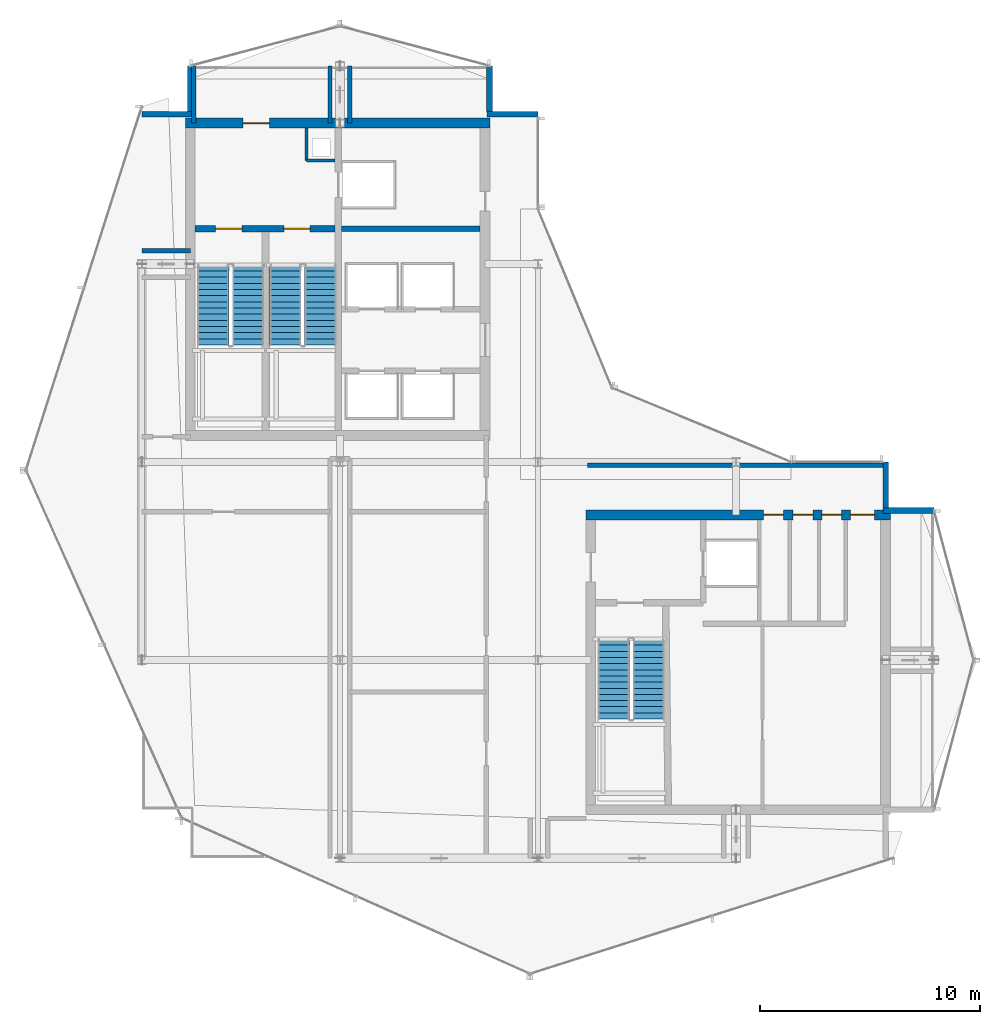
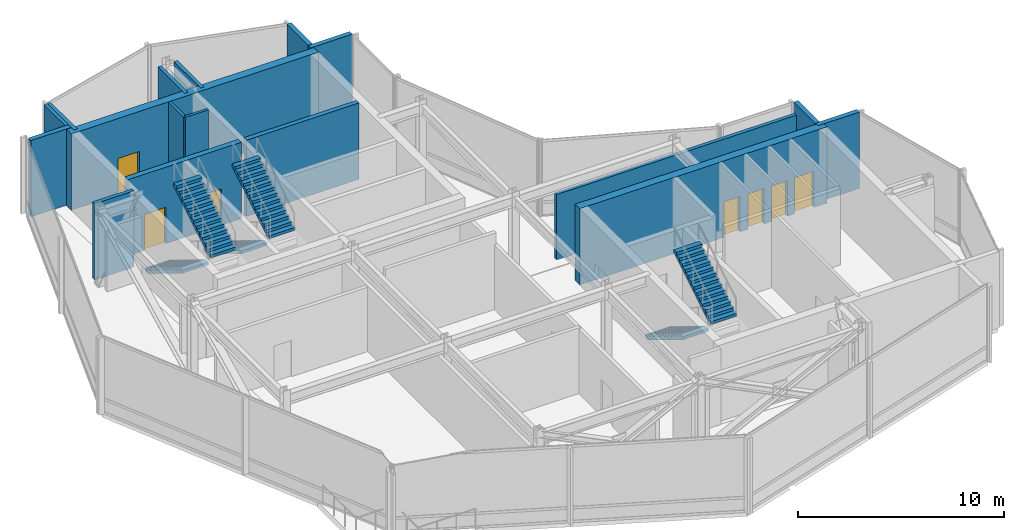
# One storey, part 19 of 23: 17 walls, 7 doors, 6 stair flights, 7 openings, 3 elements without a shape of their own.
"""IFC4 building model written with IfcOpenShell, lengths in metres."""

import ifcopenshell
import ifcopenshell.guid

model = None  # the IFC model being written
_history = None  # IfcOwnerHistory: only IFC2X3 demands one
_inside = {}  # id of a spatial element -> (the spatial element, [elements in it])
_under = {}  # id of a project, library or spatial element -> (it, [spatial elements below it])
_declared = {}  # id of a project -> (the project, [libraries it declares])
_typed = {}  # id of a type object -> (the type object, [elements of that type])
_made_of = {}  # id of a material, layer set ... -> (it, [elements and type objects made of it])


def new_model(schema):
    """Start an empty IFC model of exactly this schema.

    Asked for "IFC4X3", IfcOpenShell would pick the latest addendum, in which some entities
    have other attributes; the version numbers below select the first issue.
    IFC2X3 requires an IfcOwnerHistory on every rooted entity: one is made here for all.
    """
    global model, _history
    if schema == "IFC4X3":
        model = ifcopenshell.file(schema_version=(4, 3, 0, 0))
    else:
        model = ifcopenshell.file(schema=schema)
    _inside.clear()
    _under.clear()
    _declared.clear()
    _typed.clear()
    _made_of.clear()
    _history = None
    if model.schema == "IFC2X3":
        org = make("IfcOrganization", Name="unknown")
        user = make(
            "IfcPersonAndOrganization",
            ThePerson=make("IfcPerson", FamilyName="unknown"),
            TheOrganization=org,
        )
        app = make(
            "IfcApplication",
            ApplicationDeveloper=org,
            Version="unknown",
            ApplicationFullName="unknown",
            ApplicationIdentifier="unknown",
        )
        _history = make(
            "IfcOwnerHistory",
            OwningUser=user,
            OwningApplication=app,
            ChangeAction="ADDED",
            CreationDate=0,
        )
    return model


def make(cls, **values):
    """One entity of the class cls with the attributes given. An attribute that is None is left unset."""
    return model.create_entity(
        cls, **{name: value for name, value in values.items() if value is not None}
    )


def rooted(cls, **values):
    """An entity with a GlobalId (a new one), such as an element, a storey or a relation."""
    return make(cls, GlobalId=ifcopenshell.guid.new(), OwnerHistory=_history, **values)


def si_unit(unit_type, name, prefix=None):
    """IfcSIUnit, for example si_unit("LENGTHUNIT", "METRE", prefix="MILLI")."""
    return make("IfcSIUnit", UnitType=unit_type, Prefix=prefix, Name=name)


def assignment(units):
    """IfcUnitAssignment: the units of a project."""
    return None if units is None else make("IfcUnitAssignment", Units=units)


def point(xyz):
    """IfcCartesianPoint."""
    return None if xyz is None else make("IfcCartesianPoint", Coordinates=xyz)


def direction(xyz):
    """IfcDirection."""
    return None if xyz is None else make("IfcDirection", DirectionRatios=xyz)


def frame(location, z_axis=None, x_axis=None):
    """IfcAxis2Placement3D, a coordinate frame: its origin and axes. An axis left out is left unset."""
    return make(
        "IfcAxis2Placement3D",
        Location=point(location),
        Axis=direction(z_axis),
        RefDirection=direction(x_axis),
    )


def frame_2d(location, x_axis=None):
    """IfcAxis2Placement2D, a coordinate frame in the plane: its origin and x axis."""
    return make(
        "IfcAxis2Placement2D", Location=point(location), RefDirection=direction(x_axis)
    )


def origin():
    """The frame at (0, 0, 0) with its axes left unset."""
    return frame((0.0, 0.0, 0.0))


def place(relative_to, where):
    """IfcLocalPlacement: puts the frame where relative to a parent placement (None: the world)."""
    return make(
        "IfcLocalPlacement", PlacementRelTo=relative_to, RelativePlacement=where
    )


def context(
    kind, dimensions, precision=None, world=None, true_north=None, identifier=None
):
    """IfcGeometricRepresentationContext, for example the 3D "Model" context."""
    return make(
        "IfcGeometricRepresentationContext",
        ContextIdentifier=identifier,
        ContextType=kind,
        CoordinateSpaceDimension=dimensions,
        Precision=precision,
        WorldCoordinateSystem=world,
        TrueNorth=true_north,
    )


def subcontext(parent, identifier, kind, view, scale=None):
    """IfcGeometricRepresentationSubContext, for example "Body" below "Model"."""
    return make(
        "IfcGeometricRepresentationSubContext",
        ContextIdentifier=identifier,
        ContextType=kind,
        ParentContext=parent,
        TargetScale=scale,
        TargetView=view,
    )


def project(units=None, contexts=None):
    """IfcProject with its units and contexts."""
    return rooted(
        "IfcProject",
        Name="project",
        RepresentationContexts=contexts,
        UnitsInContext=assignment(units),
    )


def spatial(cls, under=None, at=None, **own):
    """A site, building, storey or space (cls), placed at a placement, below another one or the project."""
    s = rooted(cls, ObjectPlacement=at, **own)
    if under is not None:
        _under.setdefault(under.id(), (under, []))[1].append(s)
    return s


def polyline(points):
    """IfcPolyline through the points."""
    return make("IfcPolyline", Points=[point(p) for p in points])


def profile(cls, at=None, kind="AREA", **sizes):
    """A parametric profile (cls). Its sizes go by their IFC names, for example OverallWidth=200.0."""
    return make(cls, ProfileType=kind, Position=at, **sizes)


def rectangle(**sizes):
    """IfcRectangleProfileDef."""
    return profile("IfcRectangleProfileDef", **sizes)


def outline(outer, holes=None, kind="AREA"):
    """IfcArbitraryClosedProfileDef: a profile drawn as a closed curve; with holes, ...WithVoids."""
    if holes is None:
        return make("IfcArbitraryClosedProfileDef", ProfileType=kind, OuterCurve=outer)
    return make(
        "IfcArbitraryProfileDefWithVoids",
        ProfileType=kind,
        OuterCurve=outer,
        InnerCurves=holes,
    )


def extrude(swept, where, along, depth):
    """IfcExtrudedAreaSolid: the profile swept, set in the frame where, extruded along a direction by depth."""
    return make(
        "IfcExtrudedAreaSolid",
        SweptArea=swept,
        Position=where,
        ExtrudedDirection=direction(along),
        Depth=depth,
    )


def shape(context_of_items, identifier, shape_type, items):
    """IfcShapeRepresentation: the items that make up one representation, for example the "Body"."""
    return make(
        "IfcShapeRepresentation",
        ContextOfItems=context_of_items,
        RepresentationIdentifier=identifier,
        RepresentationType=shape_type,
        Items=items,
    )


def material(Name=None, Category=None):
    """IfcMaterial."""
    return make("IfcMaterial", Name=Name, Category=Category)


def layer(
    of_material, thickness, ventilated=None, Name=None, Category=None, Priority=None
):
    """IfcMaterialLayer: one layer of a wall or slab, of a material (None: an air gap)."""
    return make(
        "IfcMaterialLayer",
        Material=of_material,
        LayerThickness=thickness,
        IsVentilated=ventilated,
        Name=Name,
        Category=Category,
        Priority=Priority,
    )


def layer_set(layers, Name=None):
    """IfcMaterialLayerSet."""
    return make("IfcMaterialLayerSet", MaterialLayers=layers, LayerSetName=Name)


def made_of(thing, what):
    """Note that an element or type object is made of a material, layer set ...; save() writes the relation."""
    if what is not None:
        _made_of.setdefault(what.id(), (what, []))[1].append(thing)
    return thing


def type_object(cls, material=None, **own):
    """A type object (cls), such as IfcWallType, which elements share."""
    return made_of(rooted(cls, **own), material)


def element(
    cls,
    number,
    at=None,
    inside=None,
    cuts=None,
    type_object=None,
    material=None,
    context=None,
    identifier="Body",
    shape_type=None,
    held_by="IfcProductDefinitionShape",
    body=None,
    shapes=None,
    **own,
):
    """One element of the class cls, such as IfcWall. Its Tag is "e" and its number.

    at: its placement. inside: the storey or other place that contains it. cuts: it is an
    opening in that element (IfcRelVoidsElement). A single representation is given by context,
    identifier, shape_type and body (its items); several are given by shapes. held_by: the class
    of the entity that holds the representations. save() writes the other relations.
    """
    e = rooted(cls, Tag="e%d" % number, ObjectPlacement=at, **own)
    if body is not None:
        shapes = [shape(context, identifier, shape_type, body)]
    if shapes is not None:
        e.Representation = make(held_by, Representations=shapes)
    if inside is not None:
        _inside.setdefault(inside.id(), (inside, []))[1].append(e)
    if cuts is not None:
        rooted(
            "IfcRelVoidsElement", RelatingBuildingElement=cuts, RelatedOpeningElement=e
        )
    if type_object is not None:
        _typed.setdefault(type_object.id(), (type_object, []))[1].append(e)
    return made_of(e, material)


def fill(opening, filler):
    """IfcRelFillsElement: the door or window that sits in an opening."""
    return rooted(
        "IfcRelFillsElement",
        RelatingOpeningElement=opening,
        RelatedBuildingElement=filler,
    )


def aggregate(whole, parts):
    """IfcRelAggregates: a whole, such as a stair, and the parts it consists of."""
    return rooted("IfcRelAggregates", RelatingObject=whole, RelatedObjects=parts)


def save(model, path):
    """Write the relations noted so far, then the file.

    IfcRelAggregates (storeys below a building ...), IfcRelContainedInSpatialStructure (elements
    in a storey), IfcRelDefinesByType, IfcRelAssociatesMaterial and IfcRelDeclares: one each for
    every whole, place, type object, material and project.
    """
    for whole, parts in _under.values():
        aggregate(whole, parts)
    for where, things in _inside.values():
        rooted(
            "IfcRelContainedInSpatialStructure",
            RelatedElements=things,
            RelatingStructure=where,
        )
    for kind, things in _typed.values():
        rooted("IfcRelDefinesByType", RelatedObjects=things, RelatingType=kind)
    for what, things in _made_of.values():
        rooted("IfcRelAssociatesMaterial", RelatedObjects=things, RelatingMaterial=what)
    for by, libraries in _declared.values():
        rooted("IfcRelDeclares", RelatingContext=by, RelatedDefinitions=libraries)
    model.write(path)


model = new_model("IFC4")

# Units and contexts
model_context = context("Model", 3, precision=1e-05, world=origin(), true_north=direction((0.0, 1.0)))
body_context = subcontext(model_context, "Body", "Model", "MODEL_VIEW")
ifc_project = project(units=[si_unit("LENGTHUNIT", "METRE"), si_unit("AREAUNIT", "SQUARE_METRE"), si_unit("VOLUMEUNIT", "CUBIC_METRE"), si_unit("PLANEANGLEUNIT", "RADIAN"), si_unit("MASSUNIT", "GRAM", prefix="KILO")], contexts=[model_context])

# Site, building, storey
site_placement = place(None, origin())
site = spatial("IfcSite", under=ifc_project, at=site_placement, CompositionType="ELEMENT")
building_placement = place(site_placement, origin())
building = spatial("IfcBuilding", under=site, at=building_placement, Name="Solvaryn Broadcast Tower", CompositionType="ELEMENT")
storey_placement = place(building_placement, frame((0.0, 0.0, 285.199951171875)))
storey = spatial("IfcBuildingStorey", under=building, at=storey_placement, Name="L72", CompositionType="ELEMENT", Elevation=285.199951171875)

# Wall, opening, door
ifc_material_1 = material(Name="Concrete f'c 70 MPa", Category="concrete")
ifc_layer_1 = layer(ifc_material_1, 0.449951171875)
ifc_layer_set_1 = layer_set([ifc_layer_1], Name="CW-SHEAR-450")
wall_type_1 = type_object("IfcWallType", Name="CW-SHEAR-450", PredefinedType="SHEAR", material=ifc_layer_set_1)
wall_1_placement = place(storey_placement, frame((24.824951171875, 42.39990234375, 0.0), z_axis=(0.0, 0.0, 1.0), x_axis=(-1.0, 0.0, 0.0)))
wall_1 = element("IfcWall", 1, at=wall_1_placement, inside=storey, type_object=wall_type_1, Name="L72 West Core North Shear Wall", PredefinedType="SHEAR", context=body_context, shape_type="SweptSolid", body=[
    extrude(rectangle(XDim=13.849853515625, YDim=0.449951171875, at=frame_2d((6.9248046875, 0.0))), origin(), (0.0, 0.0, 1.0), 4.52001953125),
])
opening_1_placement = place(wall_1_placement, frame((10.02490234375, 0.0, 0.0)))
opening_1 = element("IfcOpeningElement", 2, at=opening_1_placement, cuts=wall_1, Name="Opening FD90A", PredefinedType="OPENING", context=body_context, shape_type="SweptSolid", body=[
    extrude(rectangle(XDim=1.199951171875, YDim=2.14990234375, at=frame_2d((0.60009765625, 1.074951171875))), frame((0.0, 0.235107421875, 0.0), z_axis=(0.0, -1.0, 0.0), x_axis=(1.0, 0.0, 0.0)), (0.0, 0.0, 1.0), 0.469970703125),
])
ifc_material_2 = material(Name="Flush Acoustic Steel and Timber Door Assembly", Category="steel")
door_type_1 = type_object("IfcDoorType", Name="FD90-STAIR-1200X2150", OperationType="NOTDEFINED", PredefinedType="DOOR", material=ifc_material_2)
door_1_placement = place(opening_1_placement, origin())
door_1 = element("IfcDoor", 3, at=door_1_placement, inside=storey, type_object=door_type_1, Name="L72 West FSAE Lobby Corridor Door", OperationType="SINGLE_SWING_LEFT", OverallHeight=2.14990234375, OverallWidth=1.199951171875, PredefinedType="DOOR", context=body_context, shape_type="SweptSolid", body=[
    extrude(rectangle(XDim=1.199951171875, YDim=2.14990234375, at=frame_2d((0.60009765625, 1.074951171875))), frame((0.0, 0.02490234375, 0.0), z_axis=(0.0, -1.0, 0.0), x_axis=(1.0, 0.0, 0.0)), (0.0, 0.0, 1.0), 0.050048828125),
])
fill(opening_1, door_1)

# Wall, openings, doors
wall_2_placement = place(storey_placement, frame((43.02490234375, 24.60009765625, 0.0), z_axis=(0.0, 0.0, 1.0), x_axis=(-1.0, 0.0, 0.0)))
wall_2 = element("IfcWall", 4, at=wall_2_placement, inside=storey, type_object=wall_type_1, Name="L72 East Core North Shear Wall", PredefinedType="SHEAR", context=body_context, shape_type="SweptSolid", body=[
    extrude(rectangle(XDim=13.849853515625, YDim=0.449951171875, at=frame_2d((6.9248046875, 0.0))), origin(), (0.0, 0.0, 1.0), 4.52001953125),
])
opening_2_placement = place(wall_2_placement, frame((0.72509765625, 0.0, 0.0)))
opening_2 = element("IfcOpeningElement", 5, at=opening_2_placement, cuts=wall_2, Name="Opening FD90C", PredefinedType="OPENING", context=body_context, shape_type="SweptSolid", body=[
    extrude(rectangle(XDim=1.10009765625, YDim=2.14990234375, at=frame_2d((0.550048828125, 1.074951171875))), frame((0.0, 0.235107421875, 0.0), z_axis=(0.0, -1.0, 0.0), x_axis=(1.0, 0.0, 0.0)), (0.0, 0.0, 1.0), 0.469970703125),
])
opening_3_placement = place(wall_2_placement, frame((2.22509765625, 0.0, 0.0)))
opening_3 = element("IfcOpeningElement", 6, at=opening_3_placement, cuts=wall_2, Name="Opening FD60C", PredefinedType="OPENING", context=body_context, shape_type="SweptSolid", body=[
    extrude(rectangle(XDim=0.89990234375, YDim=2.10009765625, at=frame_2d((0.449951171875, 1.050048828125))), frame((0.0, 0.235107421875, 0.0), z_axis=(0.0, -1.0, 0.0), x_axis=(1.0, 0.0, 0.0)), (0.0, 0.0, 1.0), 0.469970703125),
])
opening_4_placement = place(wall_2_placement, frame((3.52490234375, 0.0, 0.0)))
opening_4 = element("IfcOpeningElement", 7, at=opening_4_placement, cuts=wall_2, Name="Opening FD60C", PredefinedType="OPENING", context=body_context, shape_type="SweptSolid", body=[
    extrude(rectangle(XDim=0.89990234375, YDim=2.10009765625, at=frame_2d((0.449951171875, 1.050048828125))), frame((0.0, 0.235107421875, 0.0), z_axis=(0.0, -1.0, 0.0), x_axis=(1.0, 0.0, 0.0)), (0.0, 0.0, 1.0), 0.469970703125),
])
opening_5_placement = place(wall_2_placement, frame((4.875, 0.0, 0.0)))
opening_5 = element("IfcOpeningElement", 8, at=opening_5_placement, cuts=wall_2, Name="Opening FD60C", PredefinedType="OPENING", context=body_context, shape_type="SweptSolid", body=[
    extrude(rectangle(XDim=0.89990234375, YDim=2.10009765625, at=frame_2d((0.449951171875, 1.050048828125))), frame((0.0, 0.235107421875, 0.0), z_axis=(0.0, -1.0, 0.0), x_axis=(1.0, 0.0, 0.0)), (0.0, 0.0, 1.0), 0.469970703125),
])
ifc_material_3 = material(Name="Flush Acoustic Steel and Timber Door Assembly", Category="steel")
door_type_2 = type_object("IfcDoorType", Name="FD60-SERV-900X2100", OperationType="NOTDEFINED", PredefinedType="DOOR", material=ifc_material_3)
door_2_placement = place(opening_3_placement, origin())
door_2 = element("IfcDoor", 9, at=door_2_placement, inside=storey, type_object=door_type_2, Name="L72 Core Wellness Room Door", OperationType="SINGLE_SWING_RIGHT", OverallHeight=2.10009765625, OverallWidth=0.89990234375, PredefinedType="DOOR", context=body_context, shape_type="SweptSolid", body=[
    extrude(rectangle(XDim=0.89990234375, YDim=2.10009765625, at=frame_2d((0.449951171875, 1.050048828125))), frame((0.0, 0.02490234375, 0.0), z_axis=(0.0, -1.0, 0.0), x_axis=(1.0, 0.0, 0.0)), (0.0, 0.0, 1.0), 0.050048828125),
])
fill(opening_3, door_2)
door_3_placement = place(opening_4_placement, origin())
door_3 = element("IfcDoor", 10, at=door_3_placement, inside=storey, type_object=door_type_2, Name="L72 Staff Restroom Door", OperationType="SINGLE_SWING_LEFT", OverallHeight=2.10009765625, OverallWidth=0.89990234375, PredefinedType="DOOR", context=body_context, shape_type="SweptSolid", body=[
    extrude(rectangle(XDim=0.89990234375, YDim=2.10009765625, at=frame_2d((0.449951171875, 1.050048828125))), frame((0.0, 0.02490234375, 0.0), z_axis=(0.0, -1.0, 0.0), x_axis=(1.0, 0.0, 0.0)), (0.0, 0.0, 1.0), 0.050048828125),
])
fill(opening_4, door_3)
door_4_placement = place(opening_5_placement, origin())
door_4 = element("IfcDoor", 11, at=door_4_placement, inside=storey, type_object=door_type_2, Name="L72 Accessible WC Door", OperationType="SINGLE_SWING_RIGHT", OverallHeight=2.10009765625, OverallWidth=0.89990234375, PredefinedType="DOOR", context=body_context, shape_type="SweptSolid", body=[
    extrude(rectangle(XDim=0.89990234375, YDim=2.10009765625, at=frame_2d((0.449951171875, 1.050048828125))), frame((0.0, 0.02490234375, 0.0), z_axis=(0.0, -1.0, 0.0), x_axis=(1.0, 0.0, 0.0)), (0.0, 0.0, 1.0), 0.050048828125),
])
fill(opening_5, door_4)
ifc_material_4 = material(Name="Flush Acoustic Steel and Timber Door Assembly", Category="steel")
door_type_3 = type_object("IfcDoorType", Name="FD90-PLANT-1100X2150", OperationType="NOTDEFINED", PredefinedType="DOOR", material=ifc_material_4)
door_5_placement = place(opening_2_placement, origin())
door_5 = element("IfcDoor", 12, at=door_5_placement, inside=storey, type_object=door_type_3, Name="L72 East Core Lobby Corridor Door", OperationType="SINGLE_SWING_LEFT", OverallHeight=2.14990234375, OverallWidth=1.10009765625, PredefinedType="DOOR", context=body_context, shape_type="SweptSolid", body=[
    extrude(rectangle(XDim=1.10009765625, YDim=2.14990234375, at=frame_2d((0.550048828125, 1.074951171875))), frame((0.0, 0.02490234375, 0.0), z_axis=(0.0, -1.0, 0.0), x_axis=(1.0, 0.0, 0.0)), (0.0, 0.0, 1.0), 0.050048828125),
])
fill(opening_2, door_5)

# Walls
ifc_material_5 = material(Name="Concrete f'c 50 MPa", Category="concrete")
ifc_layer_2 = layer(ifc_material_5, 0.260009765625)
ifc_layer_set_2 = layer_set([ifc_layer_2], Name="EW-PIER-260")
wall_type_2 = type_object("IfcWallType", Name="EW-PIER-260", PredefinedType="SOLIDWALL", material=ifc_layer_set_2)
wall_3_placement = place(storey_placement, frame((9.0, 42.800048828125, 0.0), z_axis=(0.0, 0.0, 1.0), x_axis=(1.0, 0.0, 0.0)))
element("IfcWall", 13, at=wall_3_placement, inside=storey, type_object=wall_type_2, Name="L72 Notched Corner Pier Wall NNW1", PredefinedType="SOLIDWALL", context=body_context, shape_type="SweptSolid", body=[
    extrude(rectangle(XDim=2.320068359375, YDim=0.260009765625, at=frame_2d((1.16015625, 0.0))), origin(), (0.0, 0.0, 1.0), 4.52001953125),
])
for number, where, z_axis, x_axis, name in (
    (14, (11.199951171875, 42.919921875, 0.0), (0.0, 0.0, 1.0), (0.0, 1.0, 0.0), "L72 Notched Corner Pier Wall NNW2"),
    (15, (24.800048828125, 45.0, 0.0), (0.0, 0.0, 1.0), (0.0, -1.0, 0.0), "L72 Notched Corner Pier Wall NNE1"),
):
    element("IfcWall", number, at=place(storey_placement, frame(where, z_axis=z_axis, x_axis=x_axis)), inside=storey, type_object=wall_type_2, Name=name, PredefinedType="SOLIDWALL", context=body_context, shape_type="SweptSolid", body=[
        extrude(rectangle(XDim=2.080078125, YDim=0.260009765625, at=frame_2d((1.0400390625, 0.0))), origin(), (0.0, 0.0, 1.0), 4.52001953125),
    ])
for number, where, z_axis, x_axis, name in (
    (16, (24.679931640625, 42.800048828125, 0.0), (0.0, 0.0, 1.0), (1.0, 0.0, 0.0), "L72 Notched Corner Pier Wall NNE2"),
    (17, (45.0, 24.800048828125, 0.0), (0.0, 0.0, 1.0), (-1.0, 0.0, 0.0), "L72 Notched Corner Pier Wall NEE1"),
):
    element("IfcWall", number, at=place(storey_placement, frame(where, z_axis=z_axis, x_axis=x_axis)), inside=storey, type_object=wall_type_2, Name=name, PredefinedType="SOLIDWALL", context=body_context, shape_type="SweptSolid", body=[
        extrude(rectangle(XDim=2.320068359375, YDim=0.260009765625, at=frame_2d((1.16015625, 0.0))), origin(), (0.0, 0.0, 1.0), 4.52001953125),
    ])
wall_4_placement = place(storey_placement, frame((42.800048828125, 24.919921875, 0.0), z_axis=(0.0, 0.0, 1.0), x_axis=(0.0, 1.0, 0.0)))
element("IfcWall", 18, at=wall_4_placement, inside=storey, type_object=wall_type_2, Name="L72 Notched Corner Pier Wall NEE2", PredefinedType="SOLIDWALL", context=body_context, shape_type="SweptSolid", body=[
    extrude(rectangle(XDim=2.080078125, YDim=0.260009765625, at=frame_2d((1.0400390625, 0.0))), origin(), (0.0, 0.0, 1.0), 4.52001953125),
])
ifc_material_6 = material(Name="Metal-Stud Service Core Partition")
ifc_layer_3 = layer(ifc_material_6, 0.14990234375)
ifc_layer_set_3 = layer_set([ifc_layer_3], Name="IW-PART-150")
wall_type_3 = type_object("IfcWallType", Name="IW-PART-150", PredefinedType="PARTITIONING", material=ifc_layer_set_3)
wall_5_placement = place(storey_placement, frame((16.47998046875, 40.699951171875, 0.0), z_axis=(0.0, 0.0, 1.0), x_axis=(1.0, 0.0, 0.0)))
element("IfcWall", 19, at=wall_5_placement, inside=storey, type_object=wall_type_3, Name="L72 West Core Riser Shaft South Wall", PredefinedType="PARTITIONING", context=body_context, shape_type="SweptSolid", body=[
    extrude(rectangle(XDim=1.2900390625, YDim=0.14990234375, at=frame_2d((0.64501953125, 0.0))), origin(), (0.0, 0.0, 1.0), 4.52001953125),
])
wall_6_placement = place(storey_placement, frame((16.47998046875, 40.699951171875, 0.0), z_axis=(0.0, 0.0, 1.0), x_axis=(0.0, 1.0, 0.0)))
element("IfcWall", 20, at=wall_6_placement, inside=storey, type_object=wall_type_3, Name="L72 West Core Riser Shaft West Wall", PredefinedType="PARTITIONING", context=body_context, shape_type="SweptSolid", body=[
    extrude(rectangle(XDim=1.47509765625, YDim=0.14990234375, at=frame_2d((0.737548828125, 0.0))), origin(), (0.0, 0.0, 1.0), 4.52001953125),
])
ifc_material_7 = material(Name="Gypsum Fire-Rated Shaftwall Assembly", Category="concrete")
ifc_layer_4 = layer(ifc_material_7, 0.199951171875)
ifc_layer_set_4 = layer_set([ifc_layer_4], Name="IW-RATED-200")
wall_type_4 = type_object("IfcWallType", Name="IW-RATED-200", PredefinedType="PARTITIONING", material=ifc_layer_set_4)
wall_7_placement = place(storey_placement, frame((9.0, 36.60009765625, 0.0), z_axis=(0.0, 0.0, 1.0), x_axis=(1.0, 0.0, 0.0)))
element("IfcWall", 21, at=wall_7_placement, inside=storey, type_object=wall_type_4, Name="L72 Interior Partition IW-L72-MW3S", PredefinedType="PARTITIONING", context=body_context, shape_type="SweptSolid", body=[
    extrude(rectangle(XDim=2.199951171875, YDim=0.199951171875, at=frame_2d((1.10009765625, 0.0))), origin(), (0.0, 0.0, 1.0), 4.52001953125),
])
wall_8_placement = place(storey_placement, frame((29.25, 26.85009765625, 0.0), z_axis=(0.0, 0.0, 1.0), x_axis=(1.0, 0.0, 0.0)))
element("IfcWall", 22, at=wall_8_placement, inside=storey, type_object=wall_type_4, Name="L72 Interior Partition IW-L72-MW6", PredefinedType="PARTITIONING", context=body_context, shape_type="SweptSolid", body=[
    extrude(rectangle(XDim=13.550048828125, YDim=0.199951171875, at=frame_2d((6.77490234375, 0.0))), origin(), (0.0, 0.0, 1.0), 3.88916015625),
])
for number, where, z_axis, x_axis, name in (
    (23, (17.550048828125, 42.39990234375, 0.0), (0.0, 0.0, 1.0), (0.0, 1.0, 0.0), "L72 Interior Partition IW-L72-MW7W"),
    (24, (18.449951171875, 42.39990234375, 0.0), (0.0, 0.0, 1.0), (0.0, 1.0, 0.0), "L72 Interior Partition IW-L72-MW7E"),
    (25, (11.35009765625, 42.39990234375, 0.0), (0.0, 0.0, 1.0), (0.0, 1.0, 0.0), "L72 Interior Partition IW-L72-MW8"),
):
    element("IfcWall", number, at=place(storey_placement, frame(where, z_axis=z_axis, x_axis=x_axis)), inside=storey, type_object=wall_type_4, Name=name, PredefinedType="PARTITIONING", context=body_context, shape_type="SweptSolid", body=[
        extrude(rectangle(XDim=2.60009765625, YDim=0.199951171875, at=frame_2d((1.300048828125, 0.0))), origin(), (0.0, 0.0, 1.0), 4.52001953125),
    ])
ifc_material_8 = material(Name="Concrete f'c 60 MPa", Category="concrete")
ifc_layer_5 = layer(ifc_material_8, 0.25)
ifc_layer_set_5 = layer_set([ifc_layer_5], Name="SW-SHAFT-250")
wall_type_5 = type_object("IfcWallType", Name="SW-SHAFT-250", PredefinedType="PARTITIONING", material=ifc_layer_set_5)
wall_9_placement = place(storey_placement, frame((18.070068359375, 37.60009765625, 0.0), z_axis=(0.0, 0.0, 1.0), x_axis=(1.0, 0.0, 0.0)))
element("IfcWall", 26, at=wall_9_placement, inside=storey, type_object=wall_type_5, Name="L72 West Core FSAE Hoistway Front Wall", PredefinedType="PARTITIONING", context=body_context, shape_type="SweptSolid", body=[
    extrude(rectangle(XDim=6.304931640625, YDim=0.25, at=frame_2d((3.15234375, 0.0))), origin(), (0.0, 0.0, 1.0), 4.52001953125),
])

# Wall, openings, doors
ifc_material_9 = material(Name="Concrete f'c 70 MPa", Category="concrete")
ifc_layer_6 = layer(ifc_material_9, 0.300048828125)
ifc_layer_set_6 = layer_set([ifc_layer_6], Name="SW-SHAFT-300")
wall_type_6 = type_object("IfcWallType", Name="SW-SHAFT-300", PredefinedType="SHEAR", material=ifc_layer_set_6)
wall_10_placement = place(storey_placement, frame((17.77001953125, 37.60009765625, 0.0), z_axis=(0.0, 0.0, 1.0), x_axis=(-1.0, 0.0, 0.0)))
wall_10 = element("IfcWall", 27, at=wall_10_placement, inside=storey, type_object=wall_type_6, Name="L72 West Core FSAE Lobby South Wall", PredefinedType="SHEAR", context=body_context, shape_type="SweptSolid", body=[
    extrude(rectangle(XDim=6.344970703125, YDim=0.300048828125, at=frame_2d((3.17236328125, 0.0))), origin(), (0.0, 0.0, 1.0), 4.52001953125),
])
opening_6_placement = place(wall_10_placement, frame((4.219970703125, 0.0, 0.0)))
opening_6 = element("IfcOpeningElement", 28, at=opening_6_placement, cuts=wall_10, Name="Opening FD90A", PredefinedType="OPENING", context=body_context, shape_type="SweptSolid", body=[
    extrude(rectangle(XDim=1.199951171875, YDim=2.14990234375, at=frame_2d((0.60009765625, 1.074951171875))), frame((0.0, 0.159912109375, 0.0), z_axis=(0.0, -1.0, 0.0), x_axis=(1.0, 0.0, 0.0)), (0.0, 0.0, 1.0), 0.320068359375),
])
opening_7_placement = place(wall_10_placement, frame((1.1201171875, 0.0, 0.0)))
opening_7 = element("IfcOpeningElement", 29, at=opening_7_placement, cuts=wall_10, Name="Opening FD90A", PredefinedType="OPENING", context=body_context, shape_type="SweptSolid", body=[
    extrude(rectangle(XDim=1.199951171875, YDim=2.14990234375, at=frame_2d((0.60009765625, 1.074951171875))), frame((0.0, 0.159912109375, 0.0), z_axis=(0.0, -1.0, 0.0), x_axis=(1.0, 0.0, 0.0)), (0.0, 0.0, 1.0), 0.320068359375),
])
door_6_placement = place(opening_6_placement, origin())
door_6 = element("IfcDoor", 30, at=door_6_placement, inside=storey, type_object=door_type_1, Name="L72 Stair 1 Fire Door", OperationType="SINGLE_SWING_LEFT", OverallHeight=2.14990234375, OverallWidth=1.199951171875, PredefinedType="DOOR", context=body_context, shape_type="SweptSolid", body=[
    extrude(rectangle(XDim=1.199951171875, YDim=2.14990234375, at=frame_2d((0.60009765625, 1.074951171875))), frame((0.0, 0.02490234375, 0.0), z_axis=(0.0, -1.0, 0.0), x_axis=(1.0, 0.0, 0.0)), (0.0, 0.0, 1.0), 0.050048828125),
])
fill(opening_6, door_6)
door_7_placement = place(opening_7_placement, origin())
door_7 = element("IfcDoor", 31, at=door_7_placement, inside=storey, type_object=door_type_1, Name="L72 Stair 2 Fire Door", OperationType="SINGLE_SWING_RIGHT", OverallHeight=2.14990234375, OverallWidth=1.199951171875, PredefinedType="DOOR", context=body_context, shape_type="SweptSolid", body=[
    extrude(rectangle(XDim=1.199951171875, YDim=2.14990234375, at=frame_2d((0.60009765625, 1.074951171875))), frame((0.0, 0.02490234375, 0.0), z_axis=(0.0, -1.0, 0.0), x_axis=(1.0, 0.0, 0.0)), (0.0, 0.0, 1.0), 0.050048828125),
])
fill(opening_7, door_7)

# Stair, stair flights
ifc_material_10 = material(Name="Concrete f'c 60 MPa", Category="concrete")
stair_type = type_object("IfcStairType", Name="ST-CORE", PredefinedType="HALF_TURN_STAIR", material=ifc_material_10)
stair_1_placement = place(storey_placement, origin())
stair_1 = element("IfcStair", 32, at=stair_1_placement, inside=storey, type_object=stair_type, Name="L72 ST1", PredefinedType="HALF_TURN_STAIR")
ifc_material_11 = material(Name="Concrete f'c 60 MPa", Category="concrete")
ifc_layer_7 = layer(ifc_material_11, 0.159912109375)
ifc_layer_set_7 = layer_set([ifc_layer_7], Name="SF-CORE")
stair_flight_type = type_object("IfcStairFlightType", Name="SF-CORE", PredefinedType="STRAIGHT", material=ifc_layer_set_7)
stair_flight_1_placement = place(storey_placement, frame((12.239990234375, 35.9599609375, 0.0), z_axis=(0.0, 0.0, 1.0), x_axis=(0.0, -1.0, 0.0)))
stair_flight_1 = element("IfcStairFlight", 33, at=stair_flight_1_placement, type_object=stair_flight_type, Name="ST1 flight 1", NumberOfRisers=14, NumberOfTreads=13, PredefinedType="STRAIGHT", RiserHeight=0.171428571, TreadLength=0.28, context=body_context, shape_type="SweptSolid", body=[
    extrude(outline(polyline([(0.0, 0.0), (0.0, 0.17138671875), (0.280029296875, 0.17138671875), (0.280029296875, 0.3427734375), (0.56005859375, 0.3427734375), (0.56005859375, 0.514404296875), (0.840087890625, 0.514404296875), (0.840087890625, 0.685791015625), (1.1201171875, 0.685791015625), (1.1201171875, 0.857177734375), (1.39990234375, 0.857177734375), (1.39990234375, 1.028564453125), (1.679931640625, 1.028564453125), (1.679931640625, 1.199951171875), (1.9599609375, 1.199951171875), (1.9599609375, 1.371337890625), (2.239990234375, 1.371337890625), (2.239990234375, 1.54296875), (2.52001953125, 1.54296875), (2.52001953125, 1.71435546875), (2.800048828125, 1.71435546875), (2.800048828125, 1.8857421875), (3.080078125, 1.8857421875), (3.080078125, 2.05712890625), (3.360107421875, 2.05712890625), (3.360107421875, 2.228515625), (3.639892578125, 2.228515625), (3.639892578125, 2.39990234375), (3.639892578125, 2.052734375), (0.287109375, 0.0), (0.0, 0.0)])), frame((0.0, 0.719970703125, 0.0), z_axis=(0.0, -1.0, 0.0), x_axis=(1.0, 0.0, 0.0)), (0.0, 0.0, 1.0), 1.43994140625),
])
stair_flight_2_placement = place(storey_placement, frame((13.830078125, 32.320068359375, 2.400146484375), z_axis=(0.0, 0.0, 1.0), x_axis=(0.0, 1.0, 0.0)))
stair_flight_2 = element("IfcStairFlight", 34, at=stair_flight_2_placement, type_object=stair_flight_type, Name="ST1 flight 2", NumberOfRisers=14, NumberOfTreads=13, PredefinedType="STRAIGHT", RiserHeight=0.171428571, TreadLength=0.28, context=body_context, shape_type="SweptSolid", body=[
    extrude(outline(polyline([(0.0, 0.0), (0.0, 0.17138671875), (0.280029296875, 0.17138671875), (0.280029296875, 0.3427734375), (0.56005859375, 0.3427734375), (0.56005859375, 0.514404296875), (0.840087890625, 0.514404296875), (0.840087890625, 0.685791015625), (1.1201171875, 0.685791015625), (1.1201171875, 0.857177734375), (1.39990234375, 0.857177734375), (1.39990234375, 1.028564453125), (1.679931640625, 1.028564453125), (1.679931640625, 1.199951171875), (1.9599609375, 1.199951171875), (1.9599609375, 1.371337890625), (2.239990234375, 1.371337890625), (2.239990234375, 1.54296875), (2.52001953125, 1.54296875), (2.52001953125, 1.71435546875), (2.800048828125, 1.71435546875), (2.800048828125, 1.8857421875), (3.080078125, 1.8857421875), (3.080078125, 2.05712890625), (3.360107421875, 2.05712890625), (3.360107421875, 2.228515625), (3.639892578125, 2.228515625), (3.639892578125, 2.39990234375), (3.639892578125, 2.052734375), (0.287109375, 0.0), (0.0, 0.0)])), frame((0.0, 0.719970703125, 0.0), z_axis=(0.0, -1.0, 0.0), x_axis=(1.0, 0.0, 0.0)), (0.0, 0.0, 1.0), 1.43994140625),
])
aggregate(stair_1, [stair_flight_1, stair_flight_2])

stair_2_placement = place(storey_placement, origin())
stair_2 = element("IfcStair", 35, at=stair_2_placement, inside=storey, type_object=stair_type, Name="L72 ST2", PredefinedType="HALF_TURN_STAIR")
stair_flight_3_placement = place(storey_placement, frame((15.52001953125, 35.9599609375, 0.0), z_axis=(0.0, 0.0, 1.0), x_axis=(0.0, -1.0, 0.0)))
stair_flight_3 = element("IfcStairFlight", 36, at=stair_flight_3_placement, type_object=stair_flight_type, Name="ST2 flight 1", NumberOfRisers=14, NumberOfTreads=13, PredefinedType="STRAIGHT", RiserHeight=0.171428571, TreadLength=0.28, context=body_context, shape_type="SweptSolid", body=[
    extrude(outline(polyline([(0.0, 0.0), (0.0, 0.17138671875), (0.280029296875, 0.17138671875), (0.280029296875, 0.3427734375), (0.56005859375, 0.3427734375), (0.56005859375, 0.514404296875), (0.840087890625, 0.514404296875), (0.840087890625, 0.685791015625), (1.1201171875, 0.685791015625), (1.1201171875, 0.857177734375), (1.39990234375, 0.857177734375), (1.39990234375, 1.028564453125), (1.679931640625, 1.028564453125), (1.679931640625, 1.199951171875), (1.9599609375, 1.199951171875), (1.9599609375, 1.371337890625), (2.239990234375, 1.371337890625), (2.239990234375, 1.54296875), (2.52001953125, 1.54296875), (2.52001953125, 1.71435546875), (2.800048828125, 1.71435546875), (2.800048828125, 1.8857421875), (3.080078125, 1.8857421875), (3.080078125, 2.05712890625), (3.360107421875, 2.05712890625), (3.360107421875, 2.228515625), (3.639892578125, 2.228515625), (3.639892578125, 2.39990234375), (3.639892578125, 2.052734375), (0.287109375, 0.0), (0.0, 0.0)])), frame((0.0, 0.719970703125, 0.0), z_axis=(0.0, -1.0, 0.0), x_axis=(1.0, 0.0, 0.0)), (0.0, 0.0, 1.0), 1.43994140625),
])
stair_flight_4_placement = place(storey_placement, frame((17.110107421875, 32.320068359375, 2.400146484375), z_axis=(0.0, 0.0, 1.0), x_axis=(0.0, 1.0, 0.0)))
stair_flight_4 = element("IfcStairFlight", 37, at=stair_flight_4_placement, type_object=stair_flight_type, Name="ST2 flight 2", NumberOfRisers=14, NumberOfTreads=13, PredefinedType="STRAIGHT", RiserHeight=0.171428571, TreadLength=0.28, context=body_context, shape_type="SweptSolid", body=[
    extrude(outline(polyline([(0.0, 0.0), (0.0, 0.17138671875), (0.280029296875, 0.17138671875), (0.280029296875, 0.3427734375), (0.56005859375, 0.3427734375), (0.56005859375, 0.514404296875), (0.840087890625, 0.514404296875), (0.840087890625, 0.685791015625), (1.1201171875, 0.685791015625), (1.1201171875, 0.857177734375), (1.39990234375, 0.857177734375), (1.39990234375, 1.028564453125), (1.679931640625, 1.028564453125), (1.679931640625, 1.199951171875), (1.9599609375, 1.199951171875), (1.9599609375, 1.371337890625), (2.239990234375, 1.371337890625), (2.239990234375, 1.54296875), (2.52001953125, 1.54296875), (2.52001953125, 1.71435546875), (2.800048828125, 1.71435546875), (2.800048828125, 1.8857421875), (3.080078125, 1.8857421875), (3.080078125, 2.05712890625), (3.360107421875, 2.05712890625), (3.360107421875, 2.228515625), (3.639892578125, 2.228515625), (3.639892578125, 2.39990234375), (3.639892578125, 2.052734375), (0.287109375, 0.0), (0.0, 0.0)])), frame((0.0, 0.719970703125, 0.0), z_axis=(0.0, -1.0, 0.0), x_axis=(1.0, 0.0, 0.0)), (0.0, 0.0, 1.0), 1.43994140625),
])
aggregate(stair_2, [stair_flight_3, stair_flight_4])

stair_3_placement = place(storey_placement, origin())
stair_3 = element("IfcStair", 38, at=stair_3_placement, inside=storey, type_object=stair_type, Name="L72 ST3", PredefinedType="HALF_TURN_STAIR")
stair_flight_5_placement = place(storey_placement, frame((30.43994140625, 18.9599609375, 0.0), z_axis=(0.0, 0.0, 1.0), x_axis=(0.0, -1.0, 0.0)))
stair_flight_5 = element("IfcStairFlight", 39, at=stair_flight_5_placement, type_object=stair_flight_type, Name="ST3 flight 1", NumberOfRisers=14, NumberOfTreads=13, PredefinedType="STRAIGHT", RiserHeight=0.171428571, TreadLength=0.28, context=body_context, shape_type="SweptSolid", body=[
    extrude(outline(polyline([(0.0, 0.0), (0.0, 0.17138671875), (0.280029296875, 0.17138671875), (0.280029296875, 0.3427734375), (0.56005859375, 0.3427734375), (0.56005859375, 0.514404296875), (0.840087890625, 0.514404296875), (0.840087890625, 0.685791015625), (1.1201171875, 0.685791015625), (1.1201171875, 0.857177734375), (1.39990234375, 0.857177734375), (1.39990234375, 1.028564453125), (1.679931640625, 1.028564453125), (1.679931640625, 1.199951171875), (1.9599609375, 1.199951171875), (1.9599609375, 1.371337890625), (2.239990234375, 1.371337890625), (2.239990234375, 1.54296875), (2.52001953125, 1.54296875), (2.52001953125, 1.71435546875), (2.800048828125, 1.71435546875), (2.800048828125, 1.8857421875), (3.080078125, 1.8857421875), (3.080078125, 2.05712890625), (3.360107421875, 2.05712890625), (3.360107421875, 2.228515625), (3.639892578125, 2.228515625), (3.639892578125, 2.39990234375), (3.639892578125, 2.052734375), (0.287109375, 0.0), (0.0, 0.0)])), frame((0.0, 0.719970703125, 0.0), z_axis=(0.0, -1.0, 0.0), x_axis=(1.0, 0.0, 0.0)), (0.0, 0.0, 1.0), 1.43994140625),
])
stair_flight_6_placement = place(storey_placement, frame((32.030029296875, 15.320068359375, 2.400146484375), z_axis=(0.0, 0.0, 1.0), x_axis=(0.0, 1.0, 0.0)))
stair_flight_6 = element("IfcStairFlight", 40, at=stair_flight_6_placement, type_object=stair_flight_type, Name="ST3 flight 2", NumberOfRisers=14, NumberOfTreads=13, PredefinedType="STRAIGHT", RiserHeight=0.171428571, TreadLength=0.28, context=body_context, shape_type="SweptSolid", body=[
    extrude(outline(polyline([(0.0, 0.0), (0.0, 0.17138671875), (0.280029296875, 0.17138671875), (0.280029296875, 0.3427734375), (0.56005859375, 0.3427734375), (0.56005859375, 0.514404296875), (0.840087890625, 0.514404296875), (0.840087890625, 0.685791015625), (1.1201171875, 0.685791015625), (1.1201171875, 0.857177734375), (1.39990234375, 0.857177734375), (1.39990234375, 1.028564453125), (1.679931640625, 1.028564453125), (1.679931640625, 1.199951171875), (1.9599609375, 1.199951171875), (1.9599609375, 1.371337890625), (2.239990234375, 1.371337890625), (2.239990234375, 1.54296875), (2.52001953125, 1.54296875), (2.52001953125, 1.71435546875), (2.800048828125, 1.71435546875), (2.800048828125, 1.8857421875), (3.080078125, 1.8857421875), (3.080078125, 2.05712890625), (3.360107421875, 2.05712890625), (3.360107421875, 2.228515625), (3.639892578125, 2.228515625), (3.639892578125, 2.39990234375), (3.639892578125, 2.052734375), (0.287109375, 0.0), (0.0, 0.0)])), frame((0.0, 0.719970703125, 0.0), z_axis=(0.0, -1.0, 0.0), x_axis=(1.0, 0.0, 0.0)), (0.0, 0.0, 1.0), 1.43994140625),
])
aggregate(stair_3, [stair_flight_5, stair_flight_6])

save(model, "model.ifc")
